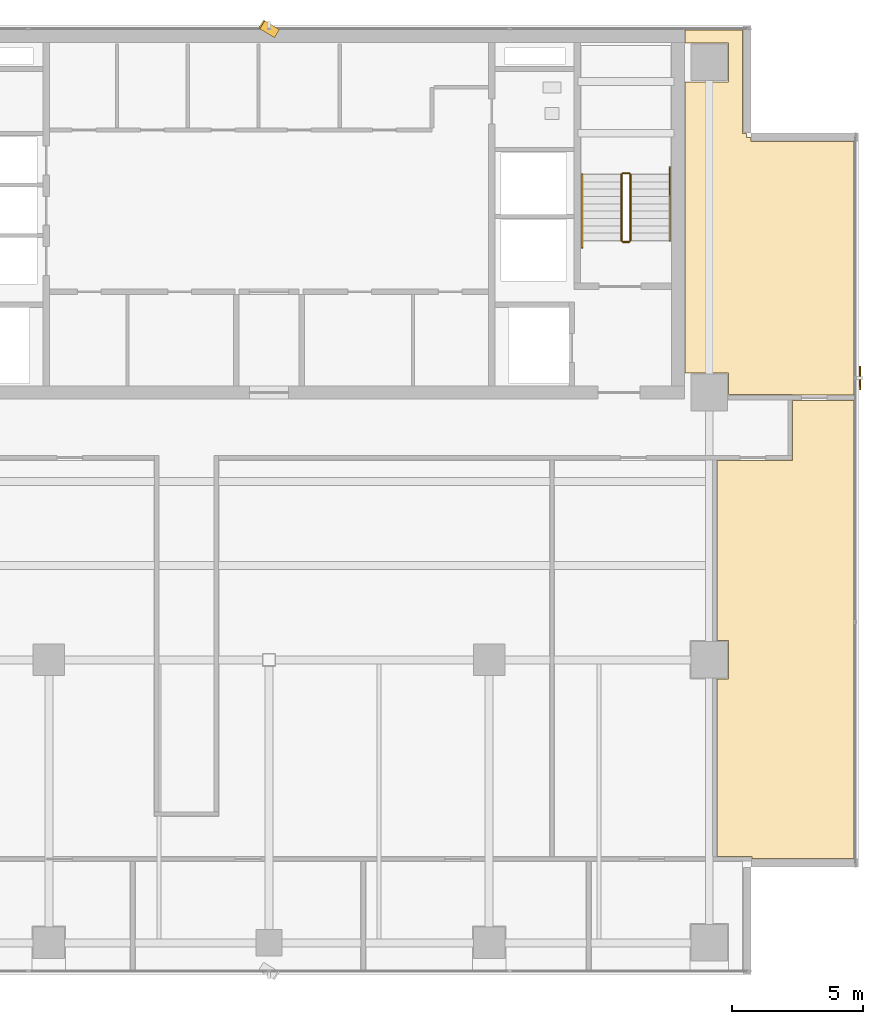
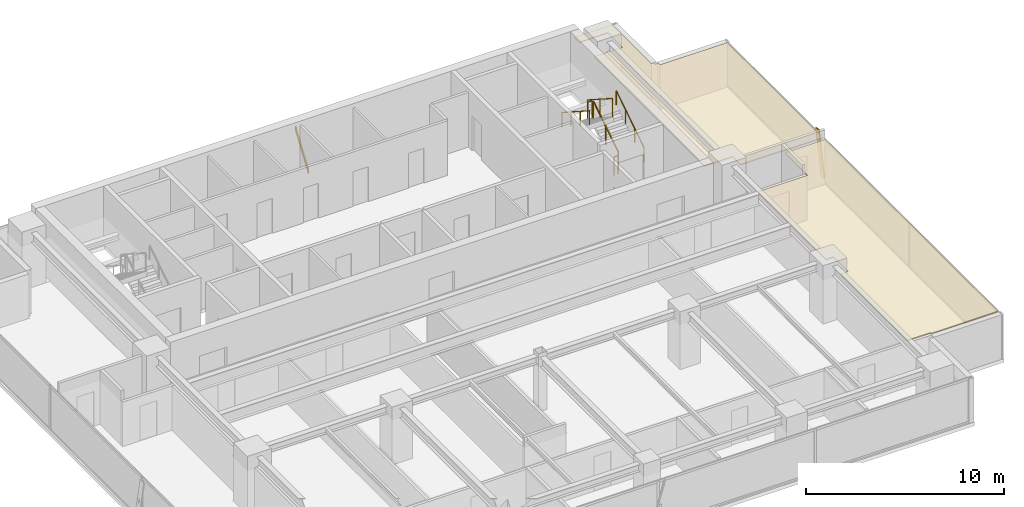
# One storey, part 25 of 26: 6 railings, 2 coverings, 2 shading devices.
"""IFC4 building model written with IfcOpenShell, lengths in metres."""

import ifcopenshell
import ifcopenshell.guid

model = None  # the IFC model being written
_history = None  # IfcOwnerHistory: only IFC2X3 demands one
_inside = {}  # id of a spatial element -> (the spatial element, [elements in it])
_under = {}  # id of a project, library or spatial element -> (it, [spatial elements below it])
_declared = {}  # id of a project -> (the project, [libraries it declares])
_typed = {}  # id of a type object -> (the type object, [elements of that type])
_made_of = {}  # id of a material, layer set ... -> (it, [elements and type objects made of it])


def new_model(schema):
    """Start an empty IFC model of exactly this schema.

    Asked for "IFC4X3", IfcOpenShell would pick the latest addendum, in which some entities
    have other attributes; the version numbers below select the first issue.
    IFC2X3 requires an IfcOwnerHistory on every rooted entity: one is made here for all.
    """
    global model, _history
    if schema == "IFC4X3":
        model = ifcopenshell.file(schema_version=(4, 3, 0, 0))
    else:
        model = ifcopenshell.file(schema=schema)
    _inside.clear()
    _under.clear()
    _declared.clear()
    _typed.clear()
    _made_of.clear()
    _history = None
    if model.schema == "IFC2X3":
        org = make("IfcOrganization", Name="unknown")
        user = make(
            "IfcPersonAndOrganization",
            ThePerson=make("IfcPerson", FamilyName="unknown"),
            TheOrganization=org,
        )
        app = make(
            "IfcApplication",
            ApplicationDeveloper=org,
            Version="unknown",
            ApplicationFullName="unknown",
            ApplicationIdentifier="unknown",
        )
        _history = make(
            "IfcOwnerHistory",
            OwningUser=user,
            OwningApplication=app,
            ChangeAction="ADDED",
            CreationDate=0,
        )
    return model


def make(cls, **values):
    """One entity of the class cls with the attributes given. An attribute that is None is left unset."""
    return model.create_entity(
        cls, **{name: value for name, value in values.items() if value is not None}
    )


def rooted(cls, **values):
    """An entity with a GlobalId (a new one), such as an element, a storey or a relation."""
    return make(cls, GlobalId=ifcopenshell.guid.new(), OwnerHistory=_history, **values)


def si_unit(unit_type, name, prefix=None):
    """IfcSIUnit, for example si_unit("LENGTHUNIT", "METRE", prefix="MILLI")."""
    return make("IfcSIUnit", UnitType=unit_type, Prefix=prefix, Name=name)


def assignment(units):
    """IfcUnitAssignment: the units of a project."""
    return None if units is None else make("IfcUnitAssignment", Units=units)


def point(xyz):
    """IfcCartesianPoint."""
    return None if xyz is None else make("IfcCartesianPoint", Coordinates=xyz)


def direction(xyz):
    """IfcDirection."""
    return None if xyz is None else make("IfcDirection", DirectionRatios=xyz)


def frame(location, z_axis=None, x_axis=None):
    """IfcAxis2Placement3D, a coordinate frame: its origin and axes. An axis left out is left unset."""
    return make(
        "IfcAxis2Placement3D",
        Location=point(location),
        Axis=direction(z_axis),
        RefDirection=direction(x_axis),
    )


def frame_2d(location, x_axis=None):
    """IfcAxis2Placement2D, a coordinate frame in the plane: its origin and x axis."""
    return make(
        "IfcAxis2Placement2D", Location=point(location), RefDirection=direction(x_axis)
    )


def origin():
    """The frame at (0, 0, 0) with its axes left unset."""
    return frame((0.0, 0.0, 0.0))


def origin_2d():
    """The frame at (0, 0) in the plane with its x axis left unset."""
    return frame_2d((0.0, 0.0))


def place(relative_to, where):
    """IfcLocalPlacement: puts the frame where relative to a parent placement (None: the world)."""
    return make(
        "IfcLocalPlacement", PlacementRelTo=relative_to, RelativePlacement=where
    )


def context(
    kind, dimensions, precision=None, world=None, true_north=None, identifier=None
):
    """IfcGeometricRepresentationContext, for example the 3D "Model" context."""
    return make(
        "IfcGeometricRepresentationContext",
        ContextIdentifier=identifier,
        ContextType=kind,
        CoordinateSpaceDimension=dimensions,
        Precision=precision,
        WorldCoordinateSystem=world,
        TrueNorth=true_north,
    )


def subcontext(parent, identifier, kind, view, scale=None):
    """IfcGeometricRepresentationSubContext, for example "Body" below "Model"."""
    return make(
        "IfcGeometricRepresentationSubContext",
        ContextIdentifier=identifier,
        ContextType=kind,
        ParentContext=parent,
        TargetScale=scale,
        TargetView=view,
    )


def project(units=None, contexts=None):
    """IfcProject with its units and contexts."""
    return rooted(
        "IfcProject",
        Name="project",
        RepresentationContexts=contexts,
        UnitsInContext=assignment(units),
    )


def spatial(cls, under=None, at=None, **own):
    """A site, building, storey or space (cls), placed at a placement, below another one or the project."""
    s = rooted(cls, ObjectPlacement=at, **own)
    if under is not None:
        _under.setdefault(under.id(), (under, []))[1].append(s)
    return s


def polyline(points):
    """IfcPolyline through the points."""
    return make("IfcPolyline", Points=[point(p) for p in points])


def profile(cls, at=None, kind="AREA", **sizes):
    """A parametric profile (cls). Its sizes go by their IFC names, for example OverallWidth=200.0."""
    return make(cls, ProfileType=kind, Position=at, **sizes)


def rectangle(**sizes):
    """IfcRectangleProfileDef."""
    return profile("IfcRectangleProfileDef", **sizes)


def outline(outer, holes=None, kind="AREA"):
    """IfcArbitraryClosedProfileDef: a profile drawn as a closed curve; with holes, ...WithVoids."""
    if holes is None:
        return make("IfcArbitraryClosedProfileDef", ProfileType=kind, OuterCurve=outer)
    return make(
        "IfcArbitraryProfileDefWithVoids",
        ProfileType=kind,
        OuterCurve=outer,
        InnerCurves=holes,
    )


def extrude(swept, where, along, depth):
    """IfcExtrudedAreaSolid: the profile swept, set in the frame where, extruded along a direction by depth."""
    return make(
        "IfcExtrudedAreaSolid",
        SweptArea=swept,
        Position=where,
        ExtrudedDirection=direction(along),
        Depth=depth,
    )


def shape(context_of_items, identifier, shape_type, items):
    """IfcShapeRepresentation: the items that make up one representation, for example the "Body"."""
    return make(
        "IfcShapeRepresentation",
        ContextOfItems=context_of_items,
        RepresentationIdentifier=identifier,
        RepresentationType=shape_type,
        Items=items,
    )


def source(mapping_origin, context_of_items, identifier, shape_type, items):
    """IfcRepresentationMap: a shape defined once, which mapped items show again and again."""
    return make(
        "IfcRepresentationMap",
        MappingOrigin=mapping_origin,
        MappedRepresentation=shape(context_of_items, identifier, shape_type, items),
    )


def transform(
    local_origin,
    x_axis=None,
    y_axis=None,
    z_axis=None,
    scale=None,
    scale2=None,
    scale3=None,
    uniform=True,
):
    """IfcCartesianTransformationOperator3D, or its non-uniform kind. x_axis, y_axis, z_axis: its Axis1, 2, 3."""
    if uniform:
        return make(
            "IfcCartesianTransformationOperator3D",
            Axis1=direction(x_axis),
            Axis2=direction(y_axis),
            LocalOrigin=point(local_origin),
            Scale=scale,
            Axis3=direction(z_axis),
        )
    return make(
        "IfcCartesianTransformationOperator3DnonUniform",
        Axis1=direction(x_axis),
        Axis2=direction(y_axis),
        LocalOrigin=point(local_origin),
        Scale=scale,
        Axis3=direction(z_axis),
        Scale2=scale2,
        Scale3=scale3,
    )


def mapped(mapping_source, mapping_target):
    """IfcMappedItem: shows the shape of a source again, moved by a transform."""
    return make(
        "IfcMappedItem", MappingSource=mapping_source, MappingTarget=mapping_target
    )


def material(Name=None, Category=None):
    """IfcMaterial."""
    return make("IfcMaterial", Name=Name, Category=Category)


def layer(
    of_material, thickness, ventilated=None, Name=None, Category=None, Priority=None
):
    """IfcMaterialLayer: one layer of a wall or slab, of a material (None: an air gap)."""
    return make(
        "IfcMaterialLayer",
        Material=of_material,
        LayerThickness=thickness,
        IsVentilated=ventilated,
        Name=Name,
        Category=Category,
        Priority=Priority,
    )


def layer_set(layers, Name=None):
    """IfcMaterialLayerSet."""
    return make("IfcMaterialLayerSet", MaterialLayers=layers, LayerSetName=Name)


def material_profile(
    of_material, cross_section, Name=None, Category=None, Priority=None
):
    """IfcMaterialProfile: a cross section and its material."""
    return make(
        "IfcMaterialProfile",
        Name=Name,
        Material=of_material,
        Profile=cross_section,
        Priority=Priority,
        Category=Category,
    )


def profile_set(profiles, Name=None, composite=None):
    """IfcMaterialProfileSet."""
    return make(
        "IfcMaterialProfileSet",
        Name=Name,
        MaterialProfiles=profiles,
        CompositeProfile=composite,
    )


def made_of(thing, what):
    """Note that an element or type object is made of a material, layer set ...; save() writes the relation."""
    if what is not None:
        _made_of.setdefault(what.id(), (what, []))[1].append(thing)
    return thing


def type_object(cls, material=None, **own):
    """A type object (cls), such as IfcWallType, which elements share."""
    return made_of(rooted(cls, **own), material)


def element(
    cls,
    number,
    at=None,
    inside=None,
    cuts=None,
    type_object=None,
    material=None,
    context=None,
    identifier="Body",
    shape_type=None,
    held_by="IfcProductDefinitionShape",
    body=None,
    shapes=None,
    **own,
):
    """One element of the class cls, such as IfcWall. Its Tag is "e" and its number.

    at: its placement. inside: the storey or other place that contains it. cuts: it is an
    opening in that element (IfcRelVoidsElement). A single representation is given by context,
    identifier, shape_type and body (its items); several are given by shapes. held_by: the class
    of the entity that holds the representations. save() writes the other relations.
    """
    e = rooted(cls, Tag="e%d" % number, ObjectPlacement=at, **own)
    if body is not None:
        shapes = [shape(context, identifier, shape_type, body)]
    if shapes is not None:
        e.Representation = make(held_by, Representations=shapes)
    if inside is not None:
        _inside.setdefault(inside.id(), (inside, []))[1].append(e)
    if cuts is not None:
        rooted(
            "IfcRelVoidsElement", RelatingBuildingElement=cuts, RelatedOpeningElement=e
        )
    if type_object is not None:
        _typed.setdefault(type_object.id(), (type_object, []))[1].append(e)
    return made_of(e, material)


def aggregate(whole, parts):
    """IfcRelAggregates: a whole, such as a stair, and the parts it consists of."""
    return rooted("IfcRelAggregates", RelatingObject=whole, RelatedObjects=parts)


def save(model, path):
    """Write the relations noted so far, then the file.

    IfcRelAggregates (storeys below a building ...), IfcRelContainedInSpatialStructure (elements
    in a storey), IfcRelDefinesByType, IfcRelAssociatesMaterial and IfcRelDeclares: one each for
    every whole, place, type object, material and project.
    """
    for whole, parts in _under.values():
        aggregate(whole, parts)
    for where, things in _inside.values():
        rooted(
            "IfcRelContainedInSpatialStructure",
            RelatedElements=things,
            RelatingStructure=where,
        )
    for kind, things in _typed.values():
        rooted("IfcRelDefinesByType", RelatedObjects=things, RelatingType=kind)
    for what, things in _made_of.values():
        rooted("IfcRelAssociatesMaterial", RelatedObjects=things, RelatingMaterial=what)
    for by, libraries in _declared.values():
        rooted("IfcRelDeclares", RelatingContext=by, RelatedDefinitions=libraries)
    model.write(path)


model = new_model("IFC4")

# Units and contexts
model_context = context("Model", 3, precision=1e-05, world=origin(), true_north=direction((0.0, 1.0)))
body_context = subcontext(model_context, "Body", "Model", "MODEL_VIEW")
ifc_project = project(units=[si_unit("LENGTHUNIT", "METRE"), si_unit("AREAUNIT", "SQUARE_METRE"), si_unit("VOLUMEUNIT", "CUBIC_METRE"), si_unit("PLANEANGLEUNIT", "RADIAN"), si_unit("MASSUNIT", "GRAM", prefix="KILO")], contexts=[model_context])

# Site, building, storey
site_placement = place(None, origin())
site = spatial("IfcSite", under=ifc_project, at=site_placement, CompositionType="ELEMENT")
building_placement = place(site_placement, origin())
building = spatial("IfcBuilding", under=site, at=building_placement, Name="Sumidabori Civic Tower", CompositionType="ELEMENT")
storey_placement = place(building_placement, frame((0.0, 0.0, 261.199951171875)))
storey = spatial("IfcBuildingStorey", under=building, at=storey_placement, Name="L68", CompositionType="ELEMENT", Elevation=261.199951171875)

# Coverings
ifc_material_1 = material(Name="Gypsum Coffered Acoustic Ceiling")
ifc_layer = layer(ifc_material_1, 0.06494140625, Name="Gypsum Coffered Acoustic Ceiling")
ifc_layer_set = layer_set([ifc_layer], Name="Gypsum Coffered Acoustic Ceiling")
covering_type = type_object("IfcCoveringType", Name="CV-CEIL-AC4", PredefinedType="CEILING", material=ifc_layer_set)
covering_1_placement = place(storey_placement, frame((0.0, 0.0, 2.719970703125)))
element("IfcCovering", 1, at=covering_1_placement, inside=storey, type_object=covering_type, Name="Room Acoustic Ceiling L68-02", PredefinedType="CEILING", context=body_context, shape_type="SweptSolid", body=[
    extrude(outline(polyline([(17.5400390625, 22.06005859375), (17.5400390625, 23.5400390625), (15.8779296875, 23.5400390625), (15.8779296875, 24.030029296875), (18.072021484375, 24.030029296875), (18.072021484375, 20.092041015625), (18.22998046875, 20.092041015625), (18.22998046875, 19.929931640625), (18.39208984375, 19.929931640625), (18.39208984375, 19.77197265625), (22.330078125, 19.77197265625), (22.330078125, 10.1025390625), (19.985107421875, 10.1025390625), (19.985107421875, 10.135009765625), (17.5400390625, 10.135009765625), (17.5400390625, 10.93994140625), (15.8779296875, 10.93994140625), (15.8779296875, 22.06005859375), (17.5400390625, 22.06005859375)])), origin(), (0.0, 0.0, 1.0), 0.065185546875),
])
covering_2_placement = place(storey_placement, frame((0.0, 0.0, 2.719970703125)))
element("IfcCovering", 2, at=covering_2_placement, inside=storey, type_object=covering_type, Name="Room Acoustic Ceiling L68-04", PredefinedType="CEILING", context=body_context, shape_type="SweptSolid", body=[
    extrude(outline(polyline([(17.1025390625, -0.739990234375), (17.5400390625, -0.739990234375), (17.5400390625, 0.739990234375), (17.1025390625, 0.739990234375), (17.1025390625, 7.614990234375), (19.985107421875, 7.614990234375), (19.985107421875, 9.8974609375), (22.330078125, 9.8974609375), (22.330078125, -7.572021484375), (18.431884765625, -7.572021484375), (18.431884765625, -7.49755859375), (17.1025390625, -7.49755859375), (17.1025390625, -0.739990234375)])), origin(), (0.0, 0.0, 1.0), 0.065185546875),
])

# Railings
ifc_material_2 = material(Name="Stainless Steel Hairline Finish", Category="steel")
railing_type_1 = type_object("IfcRailingType", Name="RL-HANDRAIL", PredefinedType="HANDRAIL", material=ifc_material_2)
railing_1_placement = place(storey_placement, frame((15.2900390625, 16.0, 0.179931640625)))
element("IfcRailing", 3, at=railing_1_placement, inside=storey, type_object=railing_type_1, Name="L68 ST-2 stair handrail 1", PredefinedType="HANDRAIL", context=body_context, shape_type="SweptSolid", body=[
    extrude(rectangle(XDim=0.048095703125, YDim=0.048095703125, at=origin_2d()), frame((0.0, 0.0, 0.8759765625), z_axis=(0.0, 0.84064222762, 0.54159084662), x_axis=(-1.0, 0.0, 0.0)), (0.0, 0.0, 1.0), 3.330810546875),
    extrude(rectangle(XDim=0.0419921875, YDim=0.0419921875, at=origin_2d()), origin(), (0.0, 0.0, 1.0), 0.851806640625),
    extrude(rectangle(XDim=0.0419921875, YDim=0.0419921875, at=origin_2d()), frame((0.0, 0.933349609375, 0.601318359375)), (0.0, 0.0, 1.0), 0.851806640625),
    extrude(rectangle(XDim=0.0419921875, YDim=0.0419921875, at=origin_2d()), frame((0.0, 1.86669921875, 1.20263671875)), (0.0, 0.0, 1.0), 0.851806640625),
    extrude(rectangle(XDim=0.0419921875, YDim=0.0419921875, at=origin_2d()), frame((0.0, 2.800048828125, 1.803955078125)), (0.0, 0.0, 1.0), 0.851806640625),
])
railing_2_placement = place(storey_placement, frame((11.949951171875, 18.52001953125, 1.97998046875)))
element("IfcRailing", 4, at=railing_2_placement, inside=storey, type_object=railing_type_1, Name="L68 ST-2 stair handrail 2", PredefinedType="HANDRAIL", context=body_context, shape_type="SweptSolid", body=[
    extrude(rectangle(XDim=0.048095703125, YDim=0.048095703125, at=origin_2d()), frame((0.0, 0.0, 0.8759765625), z_axis=(0.0, -0.84064222762, 0.54159084662), x_axis=(1.0, 0.0, 0.0)), (0.0, 0.0, 1.0), 3.330810546875),
    extrude(rectangle(XDim=0.0419921875, YDim=0.0419921875, at=origin_2d()), origin(), (0.0, 0.0, 1.0), 0.851806640625),
    extrude(rectangle(XDim=0.0419921875, YDim=0.0419921875, at=origin_2d()), frame((0.0, -0.933349609375, 0.601318359375)), (0.0, 0.0, 1.0), 0.851806640625),
    extrude(rectangle(XDim=0.0419921875, YDim=0.0419921875, at=origin_2d()), frame((0.0, -1.86669921875, 1.20263671875)), (0.0, 0.0, 1.0), 0.851806640625),
    extrude(rectangle(XDim=0.0419921875, YDim=0.0419921875, at=origin_2d()), frame((0.0, -2.800048828125, 1.803955078125)), (0.0, 0.0, 1.0), 0.851806640625),
])
ifc_material_3 = material(Name="Steel SN490", Category="steel")
railing_type_2 = type_object("IfcRailingType", Name="RL-STAIR-GUARD", PredefinedType="GUARDRAIL", material=ifc_material_3)
railing_3_placement = place(storey_placement, frame((13.7900390625, 16.0, 0.179931640625)))
element("IfcRailing", 5, at=railing_3_placement, inside=storey, type_object=railing_type_2, Name="L68 ST-2 stair guard 1", PredefinedType="GUARDRAIL", context=body_context, shape_type="SweptSolid", body=[
    extrude(rectangle(XDim=0.048095703125, YDim=0.048095703125, at=origin_2d()), frame((0.0, 0.0, 1.1259765625), z_axis=(0.0, 0.841162588446, 0.540782303519), x_axis=(-1.0, 0.0, 0.0)), (0.0, 0.0, 1.0), 2.995849609375),
    extrude(rectangle(XDim=0.0419921875, YDim=0.0419921875, at=origin_2d()), origin(), (0.0, 0.0, 1.0), 1.101806640625),
    extrude(rectangle(XDim=0.0419921875, YDim=0.0419921875, at=origin_2d()), frame((0.0, 1.260009765625, 0.81005859375)), (0.0, 0.0, 1.0), 1.101806640625),
    extrude(rectangle(XDim=0.0419921875, YDim=0.0419921875, at=origin_2d()), frame((0.0, 2.52001953125, 1.6201171875)), (0.0, 0.0, 1.0), 1.101806640625),
])
railing_4_placement = place(storey_placement, frame((13.739990234375, 18.570068359375, 1.800048828125)))
element("IfcRailing", 6, at=railing_4_placement, inside=storey, type_object=railing_type_2, Name="L68 ST-2 stair guard 2", PredefinedType="GUARDRAIL", context=body_context, shape_type="SweptSolid", body=[
    extrude(rectangle(XDim=0.048095703125, YDim=0.048095703125, at=origin_2d()), frame((0.0, 0.0, 1.1259765625), z_axis=(-1.0, 0.0, 0.0), x_axis=(0.0, -1.0, 0.0)), (0.0, 0.0, 1.0), 0.239990234375),
    extrude(rectangle(XDim=0.0419921875, YDim=0.0419921875, at=origin_2d()), origin(), (0.0, 0.0, 1.0), 1.101806640625),
    extrude(rectangle(XDim=0.0419921875, YDim=0.0419921875, at=origin_2d()), frame((-0.239990234375, 0.0, 0.0)), (0.0, 0.0, 1.0), 1.101806640625),
])
railing_5_placement = place(storey_placement, frame((13.449951171875, 18.52001953125, 1.97998046875)))
element("IfcRailing", 7, at=railing_5_placement, inside=storey, type_object=railing_type_2, Name="L68 ST-2 stair guard 3", PredefinedType="GUARDRAIL", context=body_context, shape_type="SweptSolid", body=[
    extrude(rectangle(XDim=0.048095703125, YDim=0.048095703125, at=origin_2d()), frame((0.0, 0.0, 1.1259765625), z_axis=(0.0, -0.841162588446, 0.540782303519), x_axis=(1.0, 0.0, 0.0)), (0.0, 0.0, 1.0), 2.995849609375),
    extrude(rectangle(XDim=0.0419921875, YDim=0.0419921875, at=origin_2d()), origin(), (0.0, 0.0, 1.0), 1.101806640625),
    extrude(rectangle(XDim=0.0419921875, YDim=0.0419921875, at=origin_2d()), frame((0.0, -1.260009765625, 0.81005859375)), (0.0, 0.0, 1.0), 1.101806640625),
    extrude(rectangle(XDim=0.0419921875, YDim=0.0419921875, at=origin_2d()), frame((0.0, -2.52001953125, 1.6201171875)), (0.0, 0.0, 1.0), 1.101806640625),
])
railing_6_placement = place(storey_placement, frame((13.739990234375, 15.949951171875, 0.0)))
element("IfcRailing", 8, at=railing_6_placement, inside=storey, type_object=railing_type_2, Name="L68 ST-2 stair guard 4", PredefinedType="GUARDRAIL", context=body_context, shape_type="SweptSolid", body=[
    extrude(rectangle(XDim=0.048095703125, YDim=0.048095703125, at=origin_2d()), frame((0.0, 0.0, 1.1259765625), z_axis=(-1.0, 0.0, 0.0), x_axis=(0.0, -1.0, 0.0)), (0.0, 0.0, 1.0), 0.239990234375),
    extrude(rectangle(XDim=0.0419921875, YDim=0.0419921875, at=origin_2d()), origin(), (0.0, 0.0, 1.0), 1.101806640625),
    extrude(rectangle(XDim=0.0419921875, YDim=0.0419921875, at=origin_2d()), frame((-0.239990234375, 0.0, 0.0)), (0.0, 0.0, 1.0), 1.101806640625),
])

# Shading devices
ifc_material_4 = material(Name="Anodised Bronze Aluminium AW-6063-T6", Category="aluminium")
ifc_material_profile = material_profile(ifc_material_4, rectangle(XDim=0.054931640625, YDim=0.360107421875, at=origin_2d()), Name="BRONZE FIN 360x55")
ifc_profile_set = profile_set([ifc_material_profile], Name="Anodised Bronze Aluminium AW-6063-T6")
shading_device_type = type_object("IfcShadingDeviceType", Name="SH-FIN-360", PredefinedType="USERDEFINED", material=ifc_profile_set)
shared_shape_1 = source(origin(), body_context, "Body", "SweptSolid", [
    extrude(rectangle(XDim=0.054931640625, YDim=0.360107421875, at=origin_2d()), origin(), (0.0, 0.0, 1.0), 2.7685546875),
])
shading_device_1_placement = place(storey_placement, frame((0.280029296875, 23.909912109375, 0.02001953125), z_axis=(-0.202289930374, 0.122837782481, 0.971591304646), x_axis=(0.830469701518, -0.504291322674, 0.236665030656)))
element("IfcShadingDevice", 9, at=shading_device_1_placement, inside=storey, type_object=shading_device_type, Name="Bronze Anodised Diagonal Fin L68-02", ObjectType="FIN", PredefinedType="USERDEFINED", context=body_context, shape_type="MappedRepresentation", body=[
    mapped(shared_shape_1, transform((0.0, 0.0, 0.0), x_axis=(1.0, 0.0, 0.0), y_axis=(0.0, 1.0, 0.0), z_axis=(0.0, 0.0, 1.0), scale=1.0)),
])
shared_shape_2 = source(origin(), body_context, "Body", "SweptSolid", [
    extrude(rectangle(XDim=0.054931640625, YDim=0.360107421875, at=origin_2d()), origin(), (0.0, 0.0, 1.0), 2.74755859375),
])
shading_device_2_placement = place(storey_placement, frame((22.550048828125, 10.476806640625, 0.02001953125), z_axis=(0.0, 0.203748445037, 0.979023274057), x_axis=(-1.0, 0.0, 0.0)))
element("IfcShadingDevice", 10, at=shading_device_2_placement, inside=storey, type_object=shading_device_type, Name="Bronze Anodised Diagonal Fin L68-02", ObjectType="FIN", PredefinedType="USERDEFINED", context=body_context, shape_type="MappedRepresentation", body=[
    mapped(shared_shape_2, transform((0.0, 0.0, 0.0), x_axis=(1.0, 0.0, 0.0), y_axis=(0.0, 1.0, 0.0), z_axis=(0.0, 0.0, 1.0), scale=1.0)),
])

save(model, "model.ifc")
